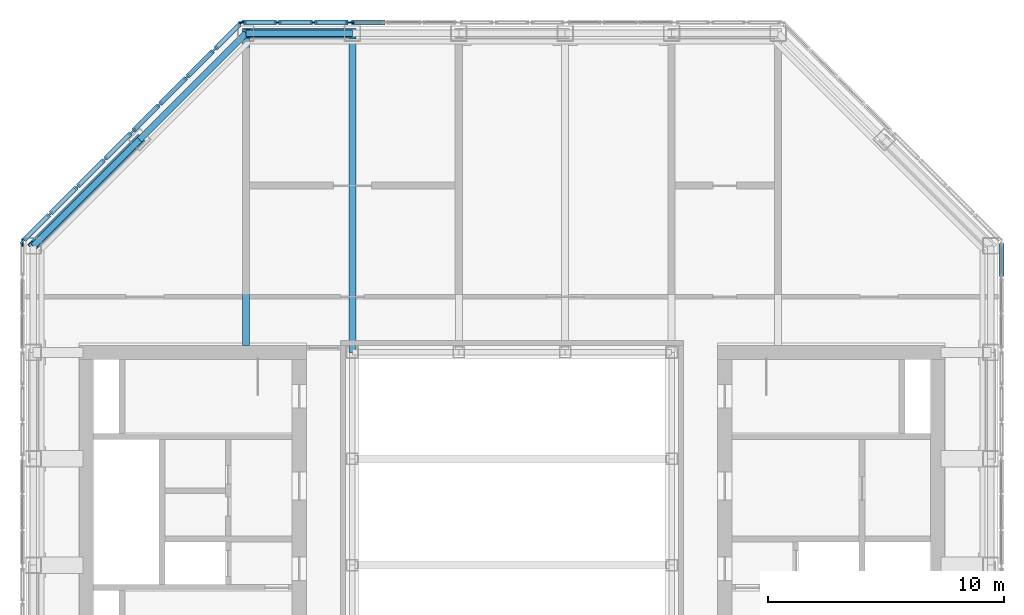
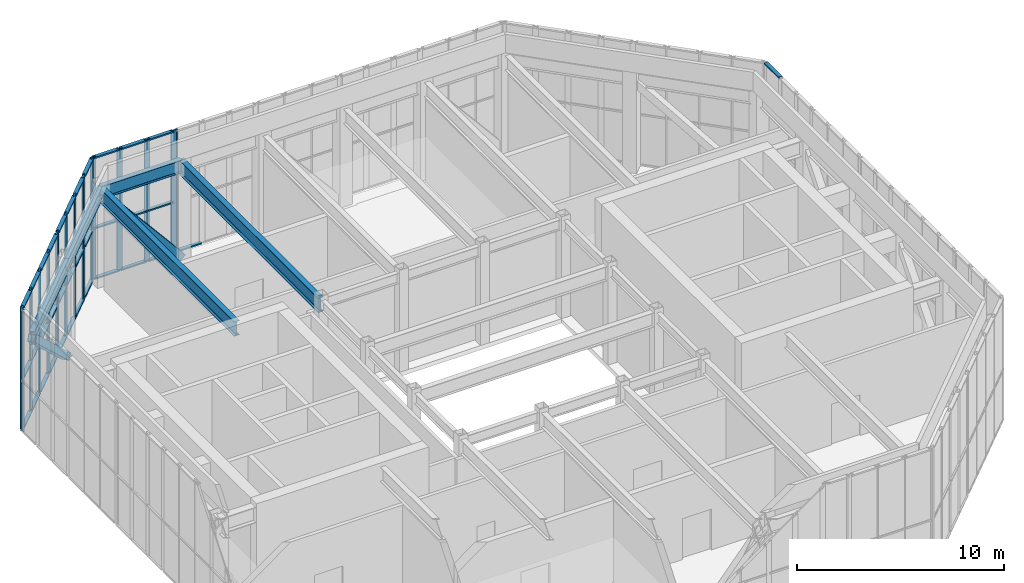
# One storey, part 7 of 15: 54 members, 5 beams, 7 elements without a shape of their own.
"""IFC4 building model written with IfcOpenShell, lengths in metres."""

from ifc_helpers import new_model, si_unit, direction, frame, origin, origin_2d, place, context, subcontext, project, spatial, rectangle, hollow_rectangle, i_section, extrude, material, material_profile, profile_set, type_object, element, aggregate, save


model = new_model("IFC4")

# Units and contexts
model_context = context("Model", 3, precision=1e-05, world=origin(), true_north=direction((0.0, 1.0)))
body_context = subcontext(model_context, "Body", "Model", "MODEL_VIEW")
ifc_project = project(units=[si_unit("LENGTHUNIT", "METRE"), si_unit("AREAUNIT", "SQUARE_METRE"), si_unit("VOLUMEUNIT", "CUBIC_METRE"), si_unit("PLANEANGLEUNIT", "RADIAN"), si_unit("MASSUNIT", "GRAM", prefix="KILO")], contexts=[model_context])

# Site, building, storey
site_placement = place(None, origin())
site = spatial("IfcSite", under=ifc_project, at=site_placement, CompositionType="ELEMENT")
building_placement = place(site_placement, origin())
building = spatial("IfcBuilding", under=site, at=building_placement, Name="Msasa Ring Tower", CompositionType="ELEMENT")
storey_placement = place(building_placement, frame((0.0, 0.0, 268.050048828125)))
storey = spatial("IfcBuildingStorey", under=building, at=storey_placement, Name="L69", CompositionType="ELEMENT", Elevation=268.050048828125)

# Curtain wall, member
ifc_material_1 = material(Name="Aluminium curtain wall with clear glass", Category="aluminium")
curtain_wall_type_1 = type_object("IfcCurtainWallType", Name="CW-L LANTERN CURTAIN WALL", PredefinedType="NOTDEFINED", material=ifc_material_1)
curtain_wall_1_placement = place(storey_placement, origin())
curtain_wall_1 = element("IfcCurtainWall", 1, at=curtain_wall_1_placement, inside=storey, type_object=curtain_wall_type_1, Name="Lantern curtain wall N4 L69", PredefinedType="NOTDEFINED")
ifc_material_2 = material(Name="Aluminium mullion", Category="aluminium")
ifc_material_profile_1 = material_profile(ifc_material_2, rectangle(XDim=0.080078125, YDim=0.300048828125, at=origin_2d()), Name="AL 80x300")
ifc_profile_set_1 = profile_set([ifc_material_profile_1], Name="Aluminium mullion")
member_type_1 = type_object("IfcMemberType", Name="CW-L MULLION 80x300", PredefinedType="MULLION", material=ifc_profile_set_1)
member_1_placement = place(storey_placement, frame((-6.82177734375, 20.699951171875, 0.0), z_axis=(0.0, 0.0, 1.0), x_axis=(0.0, -1.0, 0.0)))
member_1 = element("IfcMember", 2, at=member_1_placement, type_object=member_type_1, Name="CW-L mullion 4", PredefinedType="MULLION", context=body_context, shape_type="SweptSolid", body=[
    extrude(rectangle(XDim=0.080078125, YDim=0.300048828125, at=origin_2d()), origin(), (0.0, 0.0, 1.0), 7.199951171875),
])

# Curtain wall, members
curtain_wall_2_placement = place(storey_placement, origin())
curtain_wall_2 = element("IfcCurtainWall", 3, at=curtain_wall_2_placement, inside=storey, type_object=curtain_wall_type_1, Name="Lantern curtain wall NW2 L69", PredefinedType="NOTDEFINED")
member_2_placement = place(storey_placement, frame((-12.62255859375, 19.513671875, 0.0), z_axis=(0.0, 0.0, 1.0), x_axis=(0.707096603542, -0.707116958684, 0.0)))
member_2 = element("IfcMember", 4, at=member_2_placement, type_object=member_type_1, Name="CW-L mullion 1", PredefinedType="MULLION", context=body_context, shape_type="SweptSolid", body=[
    extrude(rectangle(XDim=0.080078125, YDim=0.300048828125, at=origin_2d()), origin(), (0.0, 0.0, 1.0), 7.199951171875),
])
member_3_placement = place(storey_placement, frame((-13.752197265625, 18.384033203125, 0.0), z_axis=(0.0, 0.0, 1.0), x_axis=(0.707096603542, -0.707116958684, 0.0)))
member_3 = element("IfcMember", 5, at=member_3_placement, type_object=member_type_1, Name="CW-L mullion 2", PredefinedType="MULLION", context=body_context, shape_type="SweptSolid", body=[
    extrude(rectangle(XDim=0.080078125, YDim=0.300048828125, at=origin_2d()), origin(), (0.0, 0.0, 1.0), 7.199951171875),
])
member_4_placement = place(storey_placement, frame((-14.91015625, 17.22607421875, 0.0), z_axis=(0.0, 0.0, 1.0), x_axis=(0.707096603542, -0.707116958684, 0.0)))
member_4 = element("IfcMember", 6, at=member_4_placement, type_object=member_type_1, Name="CW-L mullion 3", PredefinedType="MULLION", context=body_context, shape_type="SweptSolid", body=[
    extrude(rectangle(XDim=0.080078125, YDim=0.300048828125, at=origin_2d()), origin(), (0.0, 0.0, 1.0), 7.199951171875),
])
member_5_placement = place(storey_placement, frame((-16.039794921875, 16.096435546875, 0.0), z_axis=(0.0, 0.0, 1.0), x_axis=(0.707096603542, -0.707116958684, 0.0)))
member_5 = element("IfcMember", 7, at=member_5_placement, type_object=member_type_1, Name="CW-L mullion 4", PredefinedType="MULLION", context=body_context, shape_type="SweptSolid", body=[
    extrude(rectangle(XDim=0.080078125, YDim=0.300048828125, at=origin_2d()), origin(), (0.0, 0.0, 1.0), 7.199951171875),
])

# Curtain wall, member
curtain_wall_3_placement = place(storey_placement, origin())
curtain_wall_3 = element("IfcCurtainWall", 8, at=curtain_wall_3_placement, inside=storey, type_object=curtain_wall_type_1, Name="Lantern curtain wall E6 L69", PredefinedType="NOTDEFINED")
ifc_material_3 = material(Name="Aluminium transom", Category="aluminium")
ifc_material_profile_2 = material_profile(ifc_material_3, rectangle(XDim=0.199951171875, YDim=0.080078125, at=origin_2d()), Name="AL 80x200")
ifc_profile_set_2 = profile_set([ifc_material_profile_2], Name="Aluminium transom")
member_type_2 = type_object("IfcMemberType", Name="CW-L TRANSOM 80x200", PredefinedType="USERDEFINED", material=ifc_profile_set_2)
member_6_placement = place(storey_placement, frame((20.699951171875, 9.951416015625, 7.159912109375), z_axis=(0.0, 1.0, 0.0), x_axis=(-1.0, 0.0, 0.0)))
member_6 = element("IfcMember", 9, at=member_6_placement, type_object=member_type_2, Name="CW-L transom 3.3", ObjectType="TRANSOM", PredefinedType="USERDEFINED", context=body_context, shape_type="SweptSolid", body=[
    extrude(rectangle(XDim=0.199951171875, YDim=0.080078125, at=origin_2d()), origin(), (0.0, 0.0, 1.0), 1.405029296875),
])
aggregate(curtain_wall_3, [member_6])

# Member
member_7_placement = place(storey_placement, frame((-5.376953125, 20.699951171875, 0.0400390625), z_axis=(-1.0, 0.0, 0.0), x_axis=(0.0, -1.0, 0.0)))
member_7 = element("IfcMember", 10, at=member_7_placement, type_object=member_type_2, Name="CW-L transom 3.1", ObjectType="TRANSOM", PredefinedType="USERDEFINED", context=body_context, shape_type="SweptSolid", body=[
    extrude(rectangle(XDim=0.199951171875, YDim=0.080078125, at=origin_2d()), origin(), (0.0, 0.0, 1.0), 1.40478515625),
])

aggregate(curtain_wall_1, [member_1, member_7])

member_8_placement = place(storey_placement, frame((-12.65087890625, 19.4853515625, 0.0400390625), z_axis=(-0.707106781187, -0.707106781187, 0.0), x_axis=(0.707106781187, -0.707106781187, 0.0)))
member_8 = element("IfcMember", 11, at=member_8_placement, type_object=member_type_2, Name="CW-L transom 1.1", ObjectType="TRANSOM", PredefinedType="USERDEFINED", context=body_context, shape_type="SweptSolid", body=[
    extrude(rectangle(XDim=0.199951171875, YDim=0.080078125, at=origin_2d()), origin(), (0.0, 0.0, 1.0), 1.517333984375),
])

member_9_placement = place(storey_placement, frame((-12.65087890625, 19.4853515625, 3.0), z_axis=(-0.707106781187, -0.707106781187, 0.0), x_axis=(0.707106781187, -0.707106781187, 0.0)))
member_9 = element("IfcMember", 12, at=member_9_placement, type_object=member_type_2, Name="CW-L transom 1.2", ObjectType="TRANSOM", PredefinedType="USERDEFINED", context=body_context, shape_type="SweptSolid", body=[
    extrude(rectangle(XDim=0.199951171875, YDim=0.080078125, at=origin_2d()), origin(), (0.0, 0.0, 1.0), 1.517333984375),
])

member_10_placement = place(storey_placement, frame((-12.65087890625, 19.4853515625, 7.159912109375), z_axis=(-0.707106781187, -0.707106781187, 0.0), x_axis=(0.707106781187, -0.707106781187, 0.0)))
member_10 = element("IfcMember", 13, at=member_10_placement, type_object=member_type_2, Name="CW-L transom 1.3", ObjectType="TRANSOM", PredefinedType="USERDEFINED", context=body_context, shape_type="SweptSolid", body=[
    extrude(rectangle(XDim=0.199951171875, YDim=0.080078125, at=origin_2d()), origin(), (0.0, 0.0, 1.0), 1.517333984375),
])

member_11_placement = place(storey_placement, frame((-13.780517578125, 18.355712890625, 0.0400390625), z_axis=(-0.707106781187, -0.707106781187, 0.0), x_axis=(0.707106781187, -0.707106781187, 0.0)))
member_11 = element("IfcMember", 14, at=member_11_placement, type_object=member_type_2, Name="CW-L transom 2.1", ObjectType="TRANSOM", PredefinedType="USERDEFINED", context=body_context, shape_type="SweptSolid", body=[
    extrude(rectangle(XDim=0.199951171875, YDim=0.080078125, at=origin_2d()), origin(), (0.0, 0.0, 1.0), 1.5576171875),
])

member_12_placement = place(storey_placement, frame((-13.780517578125, 18.355712890625, 3.0), z_axis=(-0.707106781187, -0.707106781187, 0.0), x_axis=(0.707106781187, -0.707106781187, 0.0)))
member_12 = element("IfcMember", 15, at=member_12_placement, type_object=member_type_2, Name="CW-L transom 2.2", ObjectType="TRANSOM", PredefinedType="USERDEFINED", context=body_context, shape_type="SweptSolid", body=[
    extrude(rectangle(XDim=0.199951171875, YDim=0.080078125, at=origin_2d()), origin(), (0.0, 0.0, 1.0), 1.5576171875),
])

member_13_placement = place(storey_placement, frame((-13.780517578125, 18.355712890625, 7.159912109375), z_axis=(-0.707106781187, -0.707106781187, 0.0), x_axis=(0.707106781187, -0.707106781187, 0.0)))
member_13 = element("IfcMember", 16, at=member_13_placement, type_object=member_type_2, Name="CW-L transom 2.3", ObjectType="TRANSOM", PredefinedType="USERDEFINED", context=body_context, shape_type="SweptSolid", body=[
    extrude(rectangle(XDim=0.199951171875, YDim=0.080078125, at=origin_2d()), origin(), (0.0, 0.0, 1.0), 1.5576171875),
])

member_14_placement = place(storey_placement, frame((-14.9384765625, 17.19775390625, 0.0400390625), z_axis=(-0.707187211918, -0.707026341306, 0.0), x_axis=(0.707026341306, -0.707187211918, 0.0)))
member_14 = element("IfcMember", 17, at=member_14_placement, type_object=member_type_2, Name="CW-L transom 3.1", ObjectType="TRANSOM", PredefinedType="USERDEFINED", context=body_context, shape_type="SweptSolid", body=[
    extrude(rectangle(XDim=0.199951171875, YDim=0.080078125, at=origin_2d()), origin(), (0.0, 0.0, 1.0), 1.517578125),
])

member_15_placement = place(storey_placement, frame((-14.9384765625, 17.19775390625, 3.0), z_axis=(-0.707187211918, -0.707026341306, 0.0), x_axis=(0.707026341306, -0.707187211918, 0.0)))
member_15 = element("IfcMember", 18, at=member_15_placement, type_object=member_type_2, Name="CW-L transom 3.2", ObjectType="TRANSOM", PredefinedType="USERDEFINED", context=body_context, shape_type="SweptSolid", body=[
    extrude(rectangle(XDim=0.199951171875, YDim=0.080078125, at=origin_2d()), origin(), (0.0, 0.0, 1.0), 1.517578125),
])

member_16_placement = place(storey_placement, frame((-14.9384765625, 17.19775390625, 7.159912109375), z_axis=(-0.707187211918, -0.707026341306, 0.0), x_axis=(0.707026341306, -0.707187211918, 0.0)))
member_16 = element("IfcMember", 19, at=member_16_placement, type_object=member_type_2, Name="CW-L transom 3.3", ObjectType="TRANSOM", PredefinedType="USERDEFINED", context=body_context, shape_type="SweptSolid", body=[
    extrude(rectangle(XDim=0.199951171875, YDim=0.080078125, at=origin_2d()), origin(), (0.0, 0.0, 1.0), 1.517578125),
])

aggregate(curtain_wall_2, [member_2, member_3, member_4, member_5, member_8, member_9, member_10, member_11, member_12, member_13, member_14, member_15, member_16])

# Curtain wall, members
ifc_material_4 = material(Name="Aluminium curtain wall with insulated terracotta-faced panels", Category="masonry")
curtain_wall_type_2 = type_object("IfcCurtainWallType", Name="CW-O OPAQUE LANTERN CURTAIN WALL", PredefinedType="NOTDEFINED", material=ifc_material_4)
curtain_wall_4_placement = place(storey_placement, origin())
curtain_wall_4 = element("IfcCurtainWall", 20, at=curtain_wall_4_placement, inside=storey, type_object=curtain_wall_type_2, Name="Lantern opaque curtain wall N5 L69", PredefinedType="NOTDEFINED")
ifc_material_5 = material(Name="Aluminium mullion", Category="aluminium")
ifc_material_profile_3 = material_profile(ifc_material_5, rectangle(XDim=0.080078125, YDim=0.300048828125, at=origin_2d()), Name="AL 80x300")
ifc_profile_set_3 = profile_set([ifc_material_profile_3], Name="Aluminium mullion")
member_type_3 = type_object("IfcMemberType", Name="CW-O MULLION 80x300", PredefinedType="MULLION", material=ifc_profile_set_3)
member_17_placement = place(storey_placement, frame((-6.90185546875, 20.699951171875, 0.0), z_axis=(0.0, 0.0, 1.0), x_axis=(0.0, -1.0, 0.0)))
member_17 = element("IfcMember", 21, at=member_17_placement, type_object=member_type_3, Name="CW-O mullion 1", PredefinedType="MULLION", context=body_context, shape_type="SweptSolid", body=[
    extrude(rectangle(XDim=0.080078125, YDim=0.300048828125, at=origin_2d()), origin(), (0.0, 0.0, 1.0), 7.199951171875),
])
member_18_placement = place(storey_placement, frame((-8.38671875, 20.699951171875, 0.0), z_axis=(0.0, 0.0, 1.0), x_axis=(0.0, -1.0, 0.0)))
member_18 = element("IfcMember", 22, at=member_18_placement, type_object=member_type_3, Name="CW-O mullion 2", PredefinedType="MULLION", context=body_context, shape_type="SweptSolid", body=[
    extrude(rectangle(XDim=0.080078125, YDim=0.300048828125, at=origin_2d()), origin(), (0.0, 0.0, 1.0), 7.199951171875),
])
member_19_placement = place(storey_placement, frame((-9.91162109375, 20.699951171875, 0.0), z_axis=(0.0, 0.0, 1.0), x_axis=(0.0, -1.0, 0.0)))
member_19 = element("IfcMember", 23, at=member_19_placement, type_object=member_type_3, Name="CW-O mullion 3", PredefinedType="MULLION", context=body_context, shape_type="SweptSolid", body=[
    extrude(rectangle(XDim=0.080078125, YDim=0.300048828125, at=origin_2d()), origin(), (0.0, 0.0, 1.0), 7.199951171875),
])
member_20_placement = place(storey_placement, frame((-11.396484375, 20.699951171875, 0.0), z_axis=(0.0, 0.0, 1.0), x_axis=(0.0, -1.0, 0.0)))
member_20 = element("IfcMember", 24, at=member_20_placement, type_object=member_type_3, Name="CW-O mullion 4", PredefinedType="MULLION", context=body_context, shape_type="SweptSolid", body=[
    extrude(rectangle(XDim=0.080078125, YDim=0.300048828125, at=origin_2d()), origin(), (0.0, 0.0, 1.0), 7.199951171875),
])

curtain_wall_5_placement = place(storey_placement, origin())
curtain_wall_5 = element("IfcCurtainWall", 25, at=curtain_wall_5_placement, inside=storey, type_object=curtain_wall_type_2, Name="Lantern opaque curtain wall NW1 L69", PredefinedType="NOTDEFINED")
member_21_placement = place(storey_placement, frame((-11.464599609375, 20.671630859375, 0.0), z_axis=(0.0, 0.0, 1.0), x_axis=(0.707137313228, -0.707076247826, 0.0)))
member_21 = element("IfcMember", 26, at=member_21_placement, type_object=member_type_3, Name="CW-O mullion 1", PredefinedType="MULLION", context=body_context, shape_type="SweptSolid", body=[
    extrude(rectangle(XDim=0.080078125, YDim=0.300048828125, at=origin_2d()), origin(), (0.0, 0.0, 1.0), 7.199951171875),
])
member_22_placement = place(storey_placement, frame((-12.56591796875, 19.5703125, 0.0), z_axis=(0.0, 0.0, 1.0), x_axis=(0.707137313228, -0.707076247826, 0.0)))
member_22 = element("IfcMember", 27, at=member_22_placement, type_object=member_type_3, Name="CW-O mullion 2", PredefinedType="MULLION", context=body_context, shape_type="SweptSolid", body=[
    extrude(rectangle(XDim=0.080078125, YDim=0.300048828125, at=origin_2d()), origin(), (0.0, 0.0, 1.0), 7.199951171875),
])

curtain_wall_6_placement = place(storey_placement, origin())
curtain_wall_6 = element("IfcCurtainWall", 28, at=curtain_wall_6_placement, inside=storey, type_object=curtain_wall_type_2, Name="Lantern opaque curtain wall NW3 L69", PredefinedType="NOTDEFINED")
member_23_placement = place(storey_placement, frame((-16.096435546875, 16.039794921875, 0.0), z_axis=(0.0, 0.0, 1.0), x_axis=(0.707106781187, -0.707106781187, 0.0)))
member_23 = element("IfcMember", 29, at=member_23_placement, type_object=member_type_3, Name="CW-O mullion 1", PredefinedType="MULLION", context=body_context, shape_type="SweptSolid", body=[
    extrude(rectangle(XDim=0.080078125, YDim=0.300048828125, at=origin_2d()), origin(), (0.0, 0.0, 1.0), 7.199951171875),
])
member_24_placement = place(storey_placement, frame((-17.22607421875, 14.91015625, 0.0), z_axis=(0.0, 0.0, 1.0), x_axis=(0.707106781187, -0.707106781187, 0.0)))
member_24 = element("IfcMember", 30, at=member_24_placement, type_object=member_type_3, Name="CW-O mullion 2", PredefinedType="MULLION", context=body_context, shape_type="SweptSolid", body=[
    extrude(rectangle(XDim=0.080078125, YDim=0.300048828125, at=origin_2d()), origin(), (0.0, 0.0, 1.0), 7.199951171875),
])
member_25_placement = place(storey_placement, frame((-18.384033203125, 13.752197265625, 0.0), z_axis=(0.0, 0.0, 1.0), x_axis=(0.707106781187, -0.707106781187, 0.0)))
member_25 = element("IfcMember", 31, at=member_25_placement, type_object=member_type_3, Name="CW-O mullion 3", PredefinedType="MULLION", context=body_context, shape_type="SweptSolid", body=[
    extrude(rectangle(XDim=0.080078125, YDim=0.300048828125, at=origin_2d()), origin(), (0.0, 0.0, 1.0), 7.199951171875),
])
member_26_placement = place(storey_placement, frame((-19.5419921875, 12.59423828125, 0.0), z_axis=(0.0, 0.0, 1.0), x_axis=(0.707106781187, -0.707106781187, 0.0)))
member_26 = element("IfcMember", 32, at=member_26_placement, type_object=member_type_3, Name="CW-O mullion 4", PredefinedType="MULLION", context=body_context, shape_type="SweptSolid", body=[
    extrude(rectangle(XDim=0.080078125, YDim=0.300048828125, at=origin_2d()), origin(), (0.0, 0.0, 1.0), 7.199951171875),
])
member_27_placement = place(storey_placement, frame((-20.671630859375, 11.464599609375, 0.0), z_axis=(0.0, 0.0, 1.0), x_axis=(0.707106781187, -0.707106781187, 0.0)))
member_27 = element("IfcMember", 33, at=member_27_placement, type_object=member_type_3, Name="CW-O mullion 5", PredefinedType="MULLION", context=body_context, shape_type="SweptSolid", body=[
    extrude(rectangle(XDim=0.080078125, YDim=0.300048828125, at=origin_2d()), origin(), (0.0, 0.0, 1.0), 7.199951171875),
])

# Curtain wall, member
curtain_wall_7_placement = place(storey_placement, origin())
curtain_wall_7 = element("IfcCurtainWall", 34, at=curtain_wall_7_placement, inside=storey, type_object=curtain_wall_type_2, Name="Lantern opaque curtain wall W1 L69", PredefinedType="NOTDEFINED")
member_28_placement = place(storey_placement, frame((-20.699951171875, 11.396484375, 0.0), z_axis=(0.0, 0.0, 1.0), x_axis=(1.0, 0.0, 0.0)))
member_28 = element("IfcMember", 35, at=member_28_placement, type_object=member_type_3, Name="CW-O mullion 1", PredefinedType="MULLION", context=body_context, shape_type="SweptSolid", body=[
    extrude(rectangle(XDim=0.080078125, YDim=0.300048828125, at=origin_2d()), origin(), (0.0, 0.0, 1.0), 7.199951171875),
])
aggregate(curtain_wall_7, [member_28])

# Member
ifc_material_6 = material(Name="Aluminium transom", Category="aluminium")
ifc_material_profile_4 = material_profile(ifc_material_6, rectangle(XDim=0.199951171875, YDim=0.080078125, at=origin_2d()), Name="AL 80x200")
ifc_profile_set_4 = profile_set([ifc_material_profile_4], Name="Aluminium transom")
member_type_4 = type_object("IfcMemberType", Name="CW-O TRANSOM 80x200", PredefinedType="USERDEFINED", material=ifc_profile_set_4)
member_29_placement = place(storey_placement, frame((-6.94189453125, 20.699951171875, 0.0400390625), z_axis=(-1.0, 0.0, 0.0), x_axis=(0.0, -1.0, 0.0)))
member_29 = element("IfcMember", 36, at=member_29_placement, type_object=member_type_4, Name="CW-O transom 1.1", ObjectType="TRANSOM", PredefinedType="USERDEFINED", context=body_context, shape_type="SweptSolid", body=[
    extrude(rectangle(XDim=0.199951171875, YDim=0.080078125, at=origin_2d()), origin(), (0.0, 0.0, 1.0), 1.40478515625),
])

member_30_placement = place(storey_placement, frame((-6.94189453125, 20.699951171875, 3.0), z_axis=(-1.0, 0.0, 0.0), x_axis=(0.0, -1.0, 0.0)))
member_30 = element("IfcMember", 37, at=member_30_placement, type_object=member_type_4, Name="CW-O transom 1.2", ObjectType="TRANSOM", PredefinedType="USERDEFINED", context=body_context, shape_type="SweptSolid", body=[
    extrude(rectangle(XDim=0.199951171875, YDim=0.080078125, at=origin_2d()), origin(), (0.0, 0.0, 1.0), 1.40478515625),
])

member_31_placement = place(storey_placement, frame((-6.94189453125, 20.699951171875, 7.159912109375), z_axis=(-1.0, 0.0, 0.0), x_axis=(0.0, -1.0, 0.0)))
member_31 = element("IfcMember", 38, at=member_31_placement, type_object=member_type_4, Name="CW-O transom 1.3", ObjectType="TRANSOM", PredefinedType="USERDEFINED", context=body_context, shape_type="SweptSolid", body=[
    extrude(rectangle(XDim=0.199951171875, YDim=0.080078125, at=origin_2d()), origin(), (0.0, 0.0, 1.0), 1.40478515625),
])

member_32_placement = place(storey_placement, frame((-8.4267578125, 20.699951171875, 0.0400390625), z_axis=(-1.0, 0.0, 0.0), x_axis=(0.0, -1.0, 0.0)))
member_32 = element("IfcMember", 39, at=member_32_placement, type_object=member_type_4, Name="CW-O transom 2.1", ObjectType="TRANSOM", PredefinedType="USERDEFINED", context=body_context, shape_type="SweptSolid", body=[
    extrude(rectangle(XDim=0.199951171875, YDim=0.080078125, at=origin_2d()), origin(), (0.0, 0.0, 1.0), 1.44482421875),
])

member_33_placement = place(storey_placement, frame((-8.4267578125, 20.699951171875, 3.0), z_axis=(-1.0, 0.0, 0.0), x_axis=(0.0, -1.0, 0.0)))
member_33 = element("IfcMember", 40, at=member_33_placement, type_object=member_type_4, Name="CW-O transom 2.2", ObjectType="TRANSOM", PredefinedType="USERDEFINED", context=body_context, shape_type="SweptSolid", body=[
    extrude(rectangle(XDim=0.199951171875, YDim=0.080078125, at=origin_2d()), origin(), (0.0, 0.0, 1.0), 1.44482421875),
])

member_34_placement = place(storey_placement, frame((-8.4267578125, 20.699951171875, 7.159912109375), z_axis=(-1.0, 0.0, 0.0), x_axis=(0.0, -1.0, 0.0)))
member_34 = element("IfcMember", 41, at=member_34_placement, type_object=member_type_4, Name="CW-O transom 2.3", ObjectType="TRANSOM", PredefinedType="USERDEFINED", context=body_context, shape_type="SweptSolid", body=[
    extrude(rectangle(XDim=0.199951171875, YDim=0.080078125, at=origin_2d()), origin(), (0.0, 0.0, 1.0), 1.44482421875),
])

member_35_placement = place(storey_placement, frame((-9.951416015625, 20.699951171875, 0.0400390625), z_axis=(-1.0, 0.0, 0.0), x_axis=(0.0, -1.0, 0.0)))
member_35 = element("IfcMember", 42, at=member_35_placement, type_object=member_type_4, Name="CW-O transom 3.1", ObjectType="TRANSOM", PredefinedType="USERDEFINED", context=body_context, shape_type="SweptSolid", body=[
    extrude(rectangle(XDim=0.199951171875, YDim=0.080078125, at=origin_2d()), origin(), (0.0, 0.0, 1.0), 1.405029296875),
])

member_36_placement = place(storey_placement, frame((-9.951416015625, 20.699951171875, 3.0), z_axis=(-1.0, 0.0, 0.0), x_axis=(0.0, -1.0, 0.0)))
member_36 = element("IfcMember", 43, at=member_36_placement, type_object=member_type_4, Name="CW-O transom 3.2", ObjectType="TRANSOM", PredefinedType="USERDEFINED", context=body_context, shape_type="SweptSolid", body=[
    extrude(rectangle(XDim=0.199951171875, YDim=0.080078125, at=origin_2d()), origin(), (0.0, 0.0, 1.0), 1.405029296875),
])

member_37_placement = place(storey_placement, frame((-9.951416015625, 20.699951171875, 7.159912109375), z_axis=(-1.0, 0.0, 0.0), x_axis=(0.0, -1.0, 0.0)))
member_37 = element("IfcMember", 44, at=member_37_placement, type_object=member_type_4, Name="CW-O transom 3.3", ObjectType="TRANSOM", PredefinedType="USERDEFINED", context=body_context, shape_type="SweptSolid", body=[
    extrude(rectangle(XDim=0.199951171875, YDim=0.080078125, at=origin_2d()), origin(), (0.0, 0.0, 1.0), 1.405029296875),
])

aggregate(curtain_wall_4, [member_17, member_18, member_19, member_20, member_29, member_30, member_31, member_32, member_33, member_34, member_35, member_36, member_37])

member_38_placement = place(storey_placement, frame((-11.492919921875, 20.643310546875, 0.0400390625), z_axis=(-0.707189391943, -0.707024160777, 0.0), x_axis=(0.707024160777, -0.707189391943, 0.0)))
member_38 = element("IfcMember", 45, at=member_38_placement, type_object=member_type_4, Name="CW-O transom 1.1", ObjectType="TRANSOM", PredefinedType="USERDEFINED", context=body_context, shape_type="SweptSolid", body=[
    extrude(rectangle(XDim=0.199951171875, YDim=0.080078125, at=origin_2d()), origin(), (0.0, 0.0, 1.0), 1.4775390625),
])

member_39_placement = place(storey_placement, frame((-11.492919921875, 20.643310546875, 3.0), z_axis=(-0.707189391943, -0.707024160777, 0.0), x_axis=(0.707024160777, -0.707189391943, 0.0)))
member_39 = element("IfcMember", 46, at=member_39_placement, type_object=member_type_4, Name="CW-O transom 1.2", ObjectType="TRANSOM", PredefinedType="USERDEFINED", context=body_context, shape_type="SweptSolid", body=[
    extrude(rectangle(XDim=0.199951171875, YDim=0.080078125, at=origin_2d()), origin(), (0.0, 0.0, 1.0), 1.4775390625),
])

member_40_placement = place(storey_placement, frame((-11.492919921875, 20.643310546875, 7.159912109375), z_axis=(-0.707189391943, -0.707024160777, 0.0), x_axis=(0.707024160777, -0.707189391943, 0.0)))
member_40 = element("IfcMember", 47, at=member_40_placement, type_object=member_type_4, Name="CW-O transom 1.3", ObjectType="TRANSOM", PredefinedType="USERDEFINED", context=body_context, shape_type="SweptSolid", body=[
    extrude(rectangle(XDim=0.199951171875, YDim=0.080078125, at=origin_2d()), origin(), (0.0, 0.0, 1.0), 1.4775390625),
])

aggregate(curtain_wall_5, [member_21, member_22, member_38, member_39, member_40])

member_41_placement = place(storey_placement, frame((-16.124755859375, 16.01171875, 0.0400390625), z_axis=(-0.707026341306, -0.707187211918, 0.0), x_axis=(0.707187211918, -0.707026341306, 0.0)))
member_41 = element("IfcMember", 48, at=member_41_placement, type_object=member_type_4, Name="CW-O transom 1.1", ObjectType="TRANSOM", PredefinedType="USERDEFINED", context=body_context, shape_type="SweptSolid", body=[
    extrude(rectangle(XDim=0.199951171875, YDim=0.080078125, at=origin_2d()), origin(), (0.0, 0.0, 1.0), 1.517578125),
])

member_42_placement = place(storey_placement, frame((-16.124755859375, 16.01171875, 3.0), z_axis=(-0.707026341306, -0.707187211918, 0.0), x_axis=(0.707187211918, -0.707026341306, 0.0)))
member_42 = element("IfcMember", 49, at=member_42_placement, type_object=member_type_4, Name="CW-O transom 1.2", ObjectType="TRANSOM", PredefinedType="USERDEFINED", context=body_context, shape_type="SweptSolid", body=[
    extrude(rectangle(XDim=0.199951171875, YDim=0.080078125, at=origin_2d()), origin(), (0.0, 0.0, 1.0), 1.517578125),
])

member_43_placement = place(storey_placement, frame((-16.124755859375, 16.01171875, 7.159912109375), z_axis=(-0.707026341306, -0.707187211918, 0.0), x_axis=(0.707187211918, -0.707026341306, 0.0)))
member_43 = element("IfcMember", 50, at=member_43_placement, type_object=member_type_4, Name="CW-O transom 1.3", ObjectType="TRANSOM", PredefinedType="USERDEFINED", context=body_context, shape_type="SweptSolid", body=[
    extrude(rectangle(XDim=0.199951171875, YDim=0.080078125, at=origin_2d()), origin(), (0.0, 0.0, 1.0), 1.517578125),
])

member_44_placement = place(storey_placement, frame((-17.25439453125, 14.882080078125, 0.0400390625), z_axis=(-0.707028409696, -0.707185143992, 0.0), x_axis=(0.707185143992, -0.707028409696, 0.0)))
member_44 = element("IfcMember", 51, at=member_44_placement, type_object=member_type_4, Name="CW-O transom 2.1", ObjectType="TRANSOM", PredefinedType="USERDEFINED", context=body_context, shape_type="SweptSolid", body=[
    extrude(rectangle(XDim=0.199951171875, YDim=0.080078125, at=origin_2d()), origin(), (0.0, 0.0, 1.0), 1.5576171875),
])

member_45_placement = place(storey_placement, frame((-17.25439453125, 14.882080078125, 3.0), z_axis=(-0.707028409696, -0.707185143992, 0.0), x_axis=(0.707185143992, -0.707028409696, 0.0)))
member_45 = element("IfcMember", 52, at=member_45_placement, type_object=member_type_4, Name="CW-O transom 2.2", ObjectType="TRANSOM", PredefinedType="USERDEFINED", context=body_context, shape_type="SweptSolid", body=[
    extrude(rectangle(XDim=0.199951171875, YDim=0.080078125, at=origin_2d()), origin(), (0.0, 0.0, 1.0), 1.5576171875),
])

member_46_placement = place(storey_placement, frame((-17.25439453125, 14.882080078125, 7.159912109375), z_axis=(-0.707028409696, -0.707185143992, 0.0), x_axis=(0.707185143992, -0.707028409696, 0.0)))
member_46 = element("IfcMember", 53, at=member_46_placement, type_object=member_type_4, Name="CW-O transom 2.3", ObjectType="TRANSOM", PredefinedType="USERDEFINED", context=body_context, shape_type="SweptSolid", body=[
    extrude(rectangle(XDim=0.199951171875, YDim=0.080078125, at=origin_2d()), origin(), (0.0, 0.0, 1.0), 1.5576171875),
])

member_47_placement = place(storey_placement, frame((-18.412353515625, 13.72412109375, 0.0400390625), z_axis=(-0.707028409696, -0.707185143992, 0.0), x_axis=(0.707185143992, -0.707028409696, 0.0)))
member_47 = element("IfcMember", 54, at=member_47_placement, type_object=member_type_4, Name="CW-O transom 3.1", ObjectType="TRANSOM", PredefinedType="USERDEFINED", context=body_context, shape_type="SweptSolid", body=[
    extrude(rectangle(XDim=0.199951171875, YDim=0.080078125, at=origin_2d()), origin(), (0.0, 0.0, 1.0), 1.5576171875),
])

member_48_placement = place(storey_placement, frame((-18.412353515625, 13.72412109375, 3.0), z_axis=(-0.707028409696, -0.707185143992, 0.0), x_axis=(0.707185143992, -0.707028409696, 0.0)))
member_48 = element("IfcMember", 55, at=member_48_placement, type_object=member_type_4, Name="CW-O transom 3.2", ObjectType="TRANSOM", PredefinedType="USERDEFINED", context=body_context, shape_type="SweptSolid", body=[
    extrude(rectangle(XDim=0.199951171875, YDim=0.080078125, at=origin_2d()), origin(), (0.0, 0.0, 1.0), 1.5576171875),
])

member_49_placement = place(storey_placement, frame((-18.412353515625, 13.72412109375, 7.159912109375), z_axis=(-0.707028409696, -0.707185143992, 0.0), x_axis=(0.707185143992, -0.707028409696, 0.0)))
member_49 = element("IfcMember", 56, at=member_49_placement, type_object=member_type_4, Name="CW-O transom 3.3", ObjectType="TRANSOM", PredefinedType="USERDEFINED", context=body_context, shape_type="SweptSolid", body=[
    extrude(rectangle(XDim=0.199951171875, YDim=0.080078125, at=origin_2d()), origin(), (0.0, 0.0, 1.0), 1.5576171875),
])

member_50_placement = place(storey_placement, frame((-19.5703125, 12.566162109375, 0.0400390625), z_axis=(-0.707026341306, -0.707187211918, 0.0), x_axis=(0.707187211918, -0.707026341306, 0.0)))
member_50 = element("IfcMember", 57, at=member_50_placement, type_object=member_type_4, Name="CW-O transom 4.1", ObjectType="TRANSOM", PredefinedType="USERDEFINED", context=body_context, shape_type="SweptSolid", body=[
    extrude(rectangle(XDim=0.199951171875, YDim=0.080078125, at=origin_2d()), origin(), (0.0, 0.0, 1.0), 1.517578125),
])

member_51_placement = place(storey_placement, frame((-19.5703125, 12.566162109375, 3.0), z_axis=(-0.707026341306, -0.707187211918, 0.0), x_axis=(0.707187211918, -0.707026341306, 0.0)))
member_51 = element("IfcMember", 58, at=member_51_placement, type_object=member_type_4, Name="CW-O transom 4.2", ObjectType="TRANSOM", PredefinedType="USERDEFINED", context=body_context, shape_type="SweptSolid", body=[
    extrude(rectangle(XDim=0.199951171875, YDim=0.080078125, at=origin_2d()), origin(), (0.0, 0.0, 1.0), 1.517578125),
])

member_52_placement = place(storey_placement, frame((-19.5703125, 12.566162109375, 7.159912109375), z_axis=(-0.707026341306, -0.707187211918, 0.0), x_axis=(0.707187211918, -0.707026341306, 0.0)))
member_52 = element("IfcMember", 59, at=member_52_placement, type_object=member_type_4, Name="CW-O transom 4.3", ObjectType="TRANSOM", PredefinedType="USERDEFINED", context=body_context, shape_type="SweptSolid", body=[
    extrude(rectangle(XDim=0.199951171875, YDim=0.080078125, at=origin_2d()), origin(), (0.0, 0.0, 1.0), 1.517578125),
])

aggregate(curtain_wall_6, [member_23, member_24, member_25, member_26, member_27, member_41, member_42, member_43, member_44, member_45, member_46, member_47, member_48, member_49, member_50, member_51, member_52])

# Beams
ifc_material_7 = material(Name="Steel S355", Category="steel")
ifc_material_profile_5 = material_profile(ifc_material_7, i_section(OverallWidth=0.293701171875, OverallDepth=0.850830078125, WebThickness=0.01611328125, FlangeThickness=0.02685546875, FilletRadius=0.017822265625, at=origin_2d()), Name="UB 838x292x226")
ifc_profile_set_5 = profile_set([ifc_material_profile_5], Name="Steel S355")
beam_type_1 = type_object("IfcBeamType", Name="FB5 UB 838x292x226", PredefinedType="BEAM", material=ifc_profile_set_5)
beam_1_placement = place(storey_placement, frame((-11.25, 20.25, 5.324462890625), z_axis=(0.0, -1.0, 0.0), x_axis=(1.0, 0.0, 0.0)))
element("IfcBeam", 60, at=beam_1_placement, inside=storey, type_object=beam_type_1, Name="Floor beam N-11.25 under roof", PredefinedType="BEAM", context=body_context, shape_type="SweptSolid", body=[
    extrude(i_section(OverallWidth=0.293701171875, OverallDepth=0.850830078125, WebThickness=0.01611328125, FlangeThickness=0.02685546875, FilletRadius=0.017822265625, at=origin_2d()), origin(), (0.0, 0.0, 1.0), 13.199951171875),
])
beam_2_placement = place(storey_placement, frame((-6.75, 20.25, 5.324462890625), z_axis=(0.0, -1.0, 0.0), x_axis=(1.0, 0.0, 0.0)))
element("IfcBeam", 61, at=beam_2_placement, inside=storey, type_object=beam_type_1, Name="Floor beam N-6.75 under roof", PredefinedType="BEAM", context=body_context, shape_type="SweptSolid", body=[
    extrude(i_section(OverallWidth=0.293701171875, OverallDepth=0.850830078125, WebThickness=0.01611328125, FlangeThickness=0.02685546875, FilletRadius=0.017822265625, at=origin_2d()), origin(), (0.0, 0.0, 1.0), 13.5),
])

# Members
ifc_material_8 = material(Name="Steel S355", Category="steel")
ifc_material_profile_6 = material_profile(ifc_material_8, hollow_rectangle(XDim=0.39990234375, YDim=0.39990234375, WallThickness=0.02001953125, at=origin_2d()), Name="SHS 400x400x20")
ifc_profile_set_6 = profile_set([ifc_material_profile_6], Name="Steel S355")
member_type_5 = type_object("IfcMemberType", Name="HT1 SHS 400x400x20", PredefinedType="BRACE", material=ifc_profile_set_6)
member_53_placement = place(storey_placement, frame((-6.75, 20.25, 0.0), z_axis=(-0.642639992049, 0.0, 0.766168284791), x_axis=(0.0, -1.0, 0.0)))
element("IfcMember", 62, at=member_53_placement, inside=storey, type_object=member_type_5, Name="Hat truss brace N-6.75 L69", PredefinedType="BRACE", context=body_context, shape_type="SweptSolid", body=[
    extrude(hollow_rectangle(XDim=0.39990234375, YDim=0.39990234375, WallThickness=0.02001953125, at=origin_2d()), origin(), (0.0, 0.0, 1.0), 7.00244140625),
])
member_54_placement = place(storey_placement, frame((-15.75, 15.75, 0.0), z_axis=(-0.540628323546, -0.540628323546, 0.644547928055), x_axis=(0.707106781187, -0.707106781187, 0.0)))
element("IfcMember", 63, at=member_54_placement, inside=storey, type_object=member_type_5, Name="Hat truss brace NW L69", PredefinedType="BRACE", context=body_context, shape_type="SweptSolid", body=[
    extrude(hollow_rectangle(XDim=0.39990234375, YDim=0.39990234375, WallThickness=0.02001953125, at=origin_2d()), origin(), (0.0, 0.0, 1.0), 8.32373046875),
])

# Beams
ifc_material_9 = material(Name="Steel S355", Category="steel")
ifc_material_profile_7 = material_profile(ifc_material_9, i_section(OverallWidth=0.26806640625, OverallDepth=0.769775390625, WebThickness=0.015625, FlangeThickness=0.025390625, FilletRadius=0.0166015625, at=origin_2d()), Name="UB 762x267x197")
ifc_profile_set_7 = profile_set([ifc_material_profile_7], Name="Steel S355")
beam_type_2 = type_object("IfcBeamType", Name="SB4 UB 762x267x197", PredefinedType="SPANDREL", material=ifc_profile_set_7)
beam_3_placement = place(storey_placement, frame((-6.75, 20.25, 5.364990234375), z_axis=(-1.0, 0.0, 0.0), x_axis=(0.0, -1.0, 0.0)))
element("IfcBeam", 64, at=beam_3_placement, inside=storey, type_object=beam_type_2, Name="Spandrel N-6.75 to N-11.25 under roof", PredefinedType="SPANDREL", context=body_context, shape_type="SweptSolid", body=[
    extrude(i_section(OverallWidth=0.26806640625, OverallDepth=0.769775390625, WebThickness=0.015625, FlangeThickness=0.025390625, FilletRadius=0.0166015625, at=origin_2d()), origin(), (0.0, 0.0, 1.0), 4.5),
])
for number, where, z_axis, x_axis, name in (
    (65, (-11.25, 20.25, 5.364990234375), (-0.707106781187, -0.707106781187, 0.0), (0.707106781187, -0.707106781187, 0.0), "Spandrel N-11.25 to NW under roof"),
    (66, (-15.75, 15.75, 5.364990234375), (-0.707106781187, -0.707106781187, 0.0), (0.707106781187, -0.707106781187, 0.0), "Spandrel NW to W+11.25 under roof"),
):
    element("IfcBeam", number, at=place(storey_placement, frame(where, z_axis=z_axis, x_axis=x_axis)), inside=storey, type_object=beam_type_2, Name=name, PredefinedType="SPANDREL", context=body_context, shape_type="SweptSolid", body=[
        extrude(i_section(OverallWidth=0.26806640625, OverallDepth=0.769775390625, WebThickness=0.015625, FlangeThickness=0.025390625, FilletRadius=0.0166015625, at=origin_2d()), origin(), (0.0, 0.0, 1.0), 6.364013671875),
    ])

save(model, "model.ifc")
